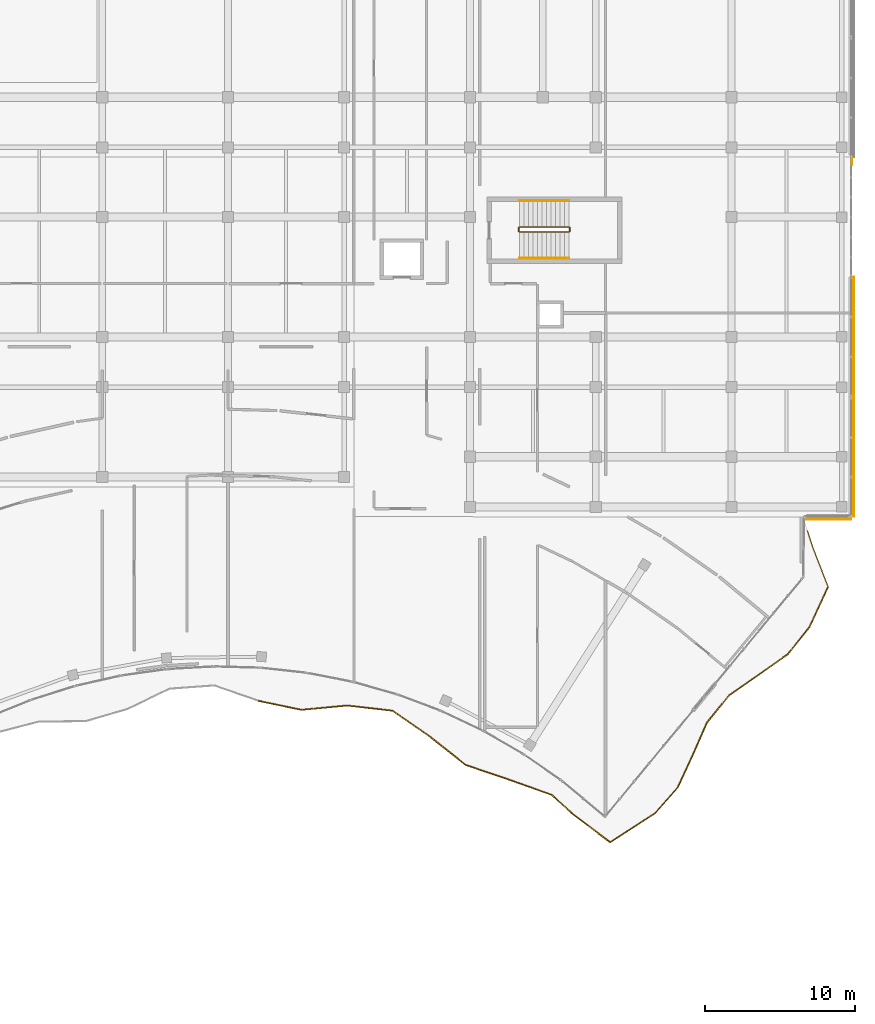
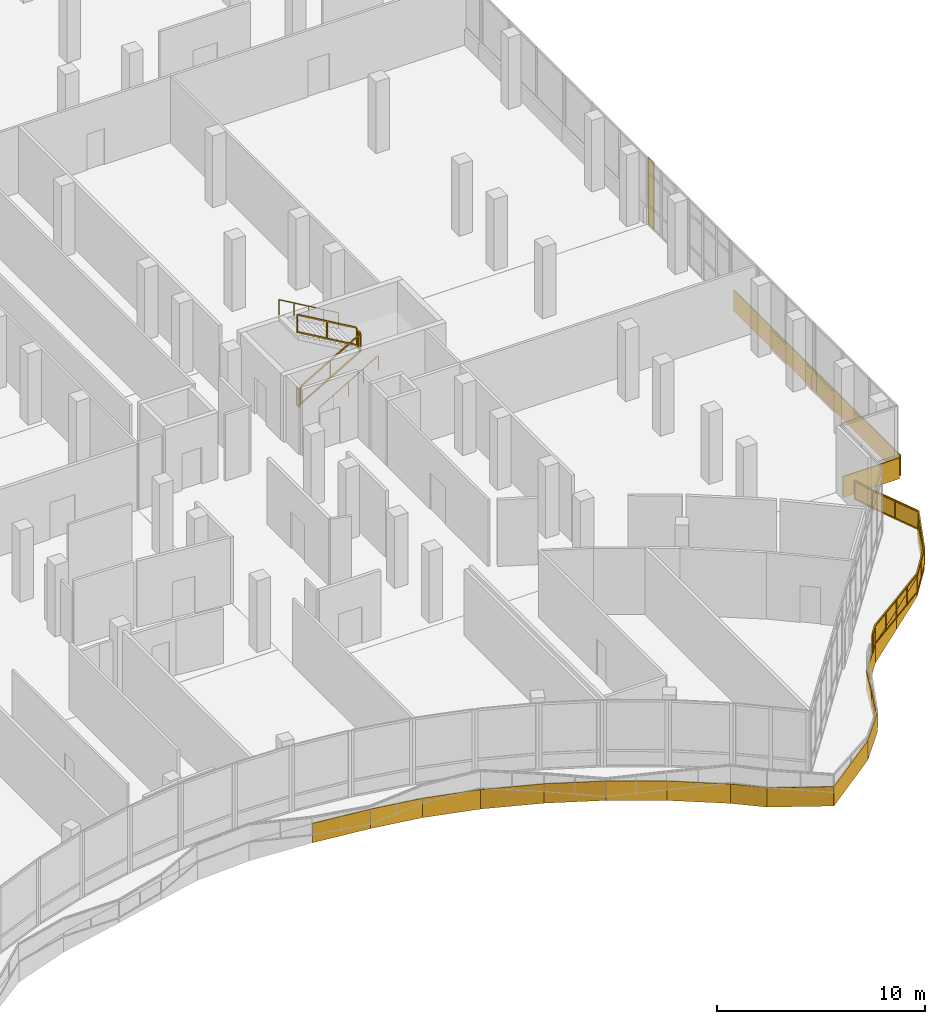
# One storey, part 183 of 184: 22 coverings, 8 railings.
"""IFC4 building model written with IfcOpenShell, lengths in metres."""

from ifc_helpers import new_model, si_unit, direction, frame, origin, origin_2d, place, context, subcontext, project, spatial, polyline, rectangle, circle, outline, extrude, material, layer, layer_set, type_object, element, save


model = new_model("IFC4")

# Units and contexts
model_context = context("Model", 3, precision=1e-05, world=origin(), true_north=direction((0.0, 1.0)))
body_context = subcontext(model_context, "Body", "Model", "MODEL_VIEW")
ifc_project = project(units=[si_unit("LENGTHUNIT", "METRE"), si_unit("AREAUNIT", "SQUARE_METRE"), si_unit("VOLUMEUNIT", "CUBIC_METRE"), si_unit("PLANEANGLEUNIT", "RADIAN"), si_unit("MASSUNIT", "GRAM", prefix="KILO")], contexts=[model_context])

# Site, building, storey
site_placement = place(None, origin())
site = spatial("IfcSite", under=ifc_project, at=site_placement, CompositionType="ELEMENT")
building_placement = place(site_placement, origin())
building = spatial("IfcBuilding", under=site, at=building_placement, Name="Selatvlak General Hospital", CompositionType="ELEMENT")
storey_placement = place(building_placement, frame((0.0, 0.0, 15.0)))
storey = spatial("IfcBuildingStorey", under=building, at=storey_placement, Name="L03", CompositionType="ELEMENT", Elevation=15.0)

# Coverings
ifc_material_1 = material(Name="PVDF aluminium fascia - cobalt blue", Category="aluminium")
ifc_layer_1 = layer(ifc_material_1, 0.070068359375, Name="PVDF aluminium fascia - cobalt blue", Category="aluminium")
ifc_layer_set_1 = layer_set([ifc_layer_1], Name="PVDF aluminium fascia - cobalt blue")
covering_type_1 = type_object("IfcCoveringType", Name="COV-RB-BLU", PredefinedType="CLADDING", material=ifc_layer_set_1)
covering_1_placement = place(storey_placement, frame((142.429931640625, 51.70703125, -0.419921875), z_axis=(0.0, 0.0, 1.0), x_axis=(0.978752548044, -0.205044994323, 0.0)))
element("IfcCovering", 1, at=covering_1_placement, inside=storey, type_object=covering_type_1, Name="L03 De Stijl waving fascia streamer 363", PredefinedType="CLADDING", context=body_context, shape_type="SweptSolid", body=[
    extrude(outline(polyline([(0.0, 0.0), (2.931396484375, 0.19482421875), (2.931396484375, 1.334716796875), (0.0, 1.139892578125), (0.0, 0.0)])), frame((0.0, 0.03515625, 0.0), z_axis=(0.0, -1.0, 0.0), x_axis=(1.0, 0.0, 0.0)), (0.0, 0.0, 1.0), 0.070068359375),
])
covering_2_placement = place(storey_placement, frame((145.300048828125, 51.10595703125, -0.22509765625), z_axis=(0.0, 0.0, 1.0), x_axis=(0.995550389317, 0.094230686782, 0.0)))
element("IfcCovering", 2, at=covering_2_placement, inside=storey, type_object=covering_type_1, Name="L03 De Stijl waving fascia streamer 364", PredefinedType="CLADDING", context=body_context, shape_type="SweptSolid", body=[
    extrude(outline(polyline([(0.0, 0.0), (3.067626953125, -0.60498046875), (3.067626953125, 0.534912109375), (0.0, 1.139892578125), (0.0, 0.0)])), frame((0.0, 0.03515625, 0.0), z_axis=(0.0, -1.0, 0.0), x_axis=(1.0, 0.0, 0.0)), (0.0, 0.0, 1.0), 0.070068359375),
])
covering_3_placement = place(storey_placement, frame((148.35498046875, 51.39404296875, -0.830078125), z_axis=(0.0, 0.0, 1.0), x_axis=(0.993590887527, -0.113036048338, 0.0)))
element("IfcCovering", 3, at=covering_3_placement, inside=storey, type_object=covering_type_1, Name="L03 De Stijl waving fascia streamer 365", PredefinedType="CLADDING", context=body_context, shape_type="SweptSolid", body=[
    extrude(outline(polyline([(0.0, 0.0), (3.03466796875, -0.342041015625), (3.03466796875, 0.7978515625), (0.0, 1.139892578125), (0.0, 0.0)])), frame((0.0, 0.03515625, 0.0), z_axis=(0.0, -1.0, 0.0), x_axis=(1.0, 0.0, 0.0)), (0.0, 0.0, 1.0), 0.070068359375),
])
covering_4_placement = place(storey_placement, frame((151.37109375, 51.051025390625, -1.172119140625), z_axis=(0.0, 0.0, 1.0), x_axis=(0.822086552014, -0.569362539159, 0.0)))
element("IfcCovering", 4, at=covering_4_placement, inside=storey, type_object=covering_type_1, Name="L03 De Stijl waving fascia streamer 366", PredefinedType="CLADDING", context=body_context, shape_type="SweptSolid", body=[
    extrude(outline(polyline([(0.0, 0.0), (3.078857421875, 0.521240234375), (3.078857421875, 1.6611328125), (0.0, 1.139892578125), (0.0, 0.0)])), frame((0.0, 0.03515625, 0.0), z_axis=(0.0, -1.0, 0.0), x_axis=(1.0, 0.0, 0.0)), (0.0, 0.0, 1.0), 0.070068359375),
])
covering_5_placement = place(storey_placement, frame((153.903076171875, 49.298095703125, -0.65087890625), z_axis=(0.0, 0.0, 1.0), x_axis=(0.784194044613, -0.620515672964, 0.0)))
element("IfcCovering", 5, at=covering_5_placement, inside=storey, type_object=covering_type_1, Name="L03 De Stijl waving fascia streamer 367", PredefinedType="CLADDING", context=body_context, shape_type="SweptSolid", body=[
    extrude(outline(polyline([(0.0, 0.0), (3.005615234375, 0.469970703125), (3.005615234375, 1.60986328125), (0.0, 1.139892578125), (0.0, 0.0)])), frame((0.0, 0.03515625, 0.0), z_axis=(0.0, -1.0, 0.0), x_axis=(1.0, 0.0, 0.0)), (0.0, 0.0, 1.0), 0.070068359375),
])
covering_6_placement = place(storey_placement, frame((156.261962890625, 47.431884765625, -0.180908203125), z_axis=(0.0, 0.0, 1.0), x_axis=(0.946658408204, -0.322238821646, 0.0)))
element("IfcCovering", 6, at=covering_6_placement, inside=storey, type_object=covering_type_1, Name="L03 De Stijl waving fascia streamer 368", PredefinedType="CLADDING", context=body_context, shape_type="SweptSolid", body=[
    extrude(outline(polyline([(0.0, 0.0), (2.982177734375, -0.406982421875), (2.982177734375, 0.73291015625), (0.0, 1.139892578125), (0.0, 0.0)])), frame((0.0, 0.03515625, 0.0), z_axis=(0.0, -1.0, 0.0), x_axis=(1.0, 0.0, 0.0)), (0.0, 0.0, 1.0), 0.070068359375),
])
covering_7_placement = place(storey_placement, frame((159.0859375, 46.469970703125, -0.587890625), z_axis=(0.0, 0.0, 1.0), x_axis=(0.942305223327, -0.334754934379, 0.0)))
element("IfcCovering", 7, at=covering_7_placement, inside=storey, type_object=covering_type_1, Name="L03 De Stijl waving fascia streamer 369", PredefinedType="CLADDING", context=body_context, shape_type="SweptSolid", body=[
    extrude(outline(polyline([(0.0, 0.0), (3.10107421875, -0.568115234375), (3.10107421875, 0.57177734375), (0.0, 1.139892578125), (0.0, 0.0)])), frame((0.0, 0.03515625, 0.0), z_axis=(0.0, -1.0, 0.0), x_axis=(1.0, 0.0, 0.0)), (0.0, 0.0, 1.0), 0.070068359375),
])
covering_8_placement = place(storey_placement, frame((162.008056640625, 45.431884765625, -1.156005859375), z_axis=(0.0, 0.0, 1.0), x_axis=(0.739597239135, -0.673049718716, 0.0)))
element("IfcCovering", 8, at=covering_8_placement, inside=storey, type_object=covering_type_1, Name="L03 De Stijl waving fascia streamer 370", PredefinedType="CLADDING", context=body_context, shape_type="SweptSolid", body=[
    extrude(outline(polyline([(0.0, 0.0), (1.804931640625, 0.052001953125), (1.804931640625, 1.19189453125), (0.0, 1.139892578125), (0.0, 0.0)])), frame((0.0, 0.03515625, 0.0), z_axis=(0.0, -1.0, 0.0), x_axis=(1.0, 0.0, 0.0)), (0.0, 0.0, 1.0), 0.070068359375),
])
covering_9_placement = place(storey_placement, frame((163.3369140625, 44.218017578125, -1.10400390625), z_axis=(0.0, 0.0, 1.0), x_axis=(0.795709155129, -0.6056789087, 0.0)))
element("IfcCovering", 9, at=covering_9_placement, inside=storey, type_object=covering_type_1, Name="L03 De Stijl waving fascia streamer 371", PredefinedType="CLADDING", context=body_context, shape_type="SweptSolid", body=[
    extrude(outline(polyline([(0.0, 0.0), (3.231201171875, 0.35302734375), (3.231201171875, 1.492919921875), (0.0, 1.139892578125), (0.0, 0.0)])), frame((0.0, 0.03515625, 0.0), z_axis=(0.0, -1.0, 0.0), x_axis=(1.0, 0.0, 0.0)), (0.0, 0.0, 1.0), 0.070068359375),
])
covering_10_placement = place(storey_placement, frame((165.89794921875, 42.260009765625, -0.7509765625), z_axis=(0.0, 0.0, 1.0), x_axis=(0.839317010686, 0.543642304804, 0.0)))
element("IfcCovering", 10, at=covering_10_placement, inside=storey, type_object=covering_type_1, Name="L03 De Stijl waving fascia streamer 372", PredefinedType="CLADDING", context=body_context, shape_type="SweptSolid", body=[
    extrude(outline(polyline([(0.0, 0.0), (3.572021484375, 0.471923828125), (3.572021484375, 1.61181640625), (0.0, 1.139892578125), (0.0, 0.0)])), frame((0.0, 0.03515625, 0.0), z_axis=(0.0, -1.0, 0.0), x_axis=(1.0, 0.0, 0.0)), (0.0, 0.0, 1.0), 0.070068359375),
])
covering_11_placement = place(storey_placement, frame((168.89111328125, 44.199951171875, -0.279052734375), z_axis=(0.0, 0.0, 1.0), x_axis=(0.66261497791, 0.748960206586, 0.0)))
element("IfcCovering", 11, at=covering_11_placement, inside=storey, type_object=covering_type_1, Name="L03 De Stijl waving fascia streamer 373", PredefinedType="CLADDING", context=body_context, shape_type="SweptSolid", body=[
    extrude(outline(polyline([(0.0, 0.0), (2.30712890625, 0.052978515625), (2.30712890625, 1.19287109375), (0.0, 1.139892578125), (0.0, 0.0)])), frame((0.0, 0.03515625, 0.0), z_axis=(0.0, -1.0, 0.0), x_axis=(1.0, 0.0, 0.0)), (0.0, 0.0, 1.0), 0.070068359375),
])
covering_12_placement = place(storey_placement, frame((170.419921875, 45.927978515625, -0.22607421875), z_axis=(0.0, 0.0, 1.0), x_axis=(0.420569929361, 0.907260125056, 0.0)))
element("IfcCovering", 12, at=covering_12_placement, inside=storey, type_object=covering_type_1, Name="L03 De Stijl waving fascia streamer 374", PredefinedType="CLADDING", context=body_context, shape_type="SweptSolid", body=[
    extrude(outline(polyline([(0.0, 0.0), (2.38525390625, -0.421875), (2.38525390625, 0.718017578125), (0.0, 1.139892578125), (0.0, 0.0)])), frame((0.0, 0.03515625, 0.0), z_axis=(0.0, -1.0, 0.0), x_axis=(1.0, 0.0, 0.0)), (0.0, 0.0, 1.0), 0.070068359375),
])
covering_13_placement = place(storey_placement, frame((171.423095703125, 48.092041015625, -0.64794921875), z_axis=(0.0, 0.0, 1.0), x_axis=(0.40292292108, 0.915233915274, 0.0)))
element("IfcCovering", 13, at=covering_13_placement, inside=storey, type_object=covering_type_1, Name="L03 De Stijl waving fascia streamer 375", PredefinedType="CLADDING", context=body_context, shape_type="SweptSolid", body=[
    extrude(outline(polyline([(0.0, 0.0), (2.39697265625, -0.455078125), (2.39697265625, 0.684814453125), (0.0, 1.139892578125), (0.0, 0.0)])), frame((0.0, 0.03515625, 0.0), z_axis=(0.0, -1.0, 0.0), x_axis=(1.0, 0.0, 0.0)), (0.0, 0.0, 1.0), 0.070068359375),
])
covering_14_placement = place(storey_placement, frame((172.388916015625, 50.285888671875, -1.10302734375), z_axis=(0.0, 0.0, 1.0), x_axis=(0.631899176648, 0.775050598704, 0.0)))
element("IfcCovering", 14, at=covering_14_placement, inside=storey, type_object=covering_type_1, Name="L03 De Stijl waving fascia streamer 376", PredefinedType="CLADDING", context=body_context, shape_type="SweptSolid", body=[
    extrude(outline(polyline([(0.0, 0.0), (2.305908203125, -0.012939453125), (2.305908203125, 1.126953125), (0.0, 1.139892578125), (0.0, 0.0)])), frame((0.0, 0.03515625, 0.0), z_axis=(0.0, -1.0, 0.0), x_axis=(1.0, 0.0, 0.0)), (0.0, 0.0, 1.0), 0.070068359375),
])
covering_15_placement = place(storey_placement, frame((173.845947265625, 52.072998046875, -1.115966796875), z_axis=(0.0, 0.0, 1.0), x_axis=(0.820270538005, 0.571975737669, 0.0)))
element("IfcCovering", 15, at=covering_15_placement, inside=storey, type_object=covering_type_1, Name="L03 De Stijl waving fascia streamer 377", PredefinedType="CLADDING", context=body_context, shape_type="SweptSolid", body=[
    extrude(outline(polyline([(0.0, 0.0), (2.393310546875, 0.44384765625), (2.393310546875, 1.583740234375), (0.0, 1.139892578125), (0.0, 0.0)])), frame((0.0, 0.03515625, 0.0), z_axis=(0.0, -1.0, 0.0), x_axis=(1.0, 0.0, 0.0)), (0.0, 0.0, 1.0), 0.070068359375),
])
covering_16_placement = place(storey_placement, frame((175.80908203125, 53.44189453125, -0.672119140625), z_axis=(0.0, 0.0, 1.0), x_axis=(0.817225438115, 0.576318126817, 0.0)))
element("IfcCovering", 16, at=covering_16_placement, inside=storey, type_object=covering_type_1, Name="L03 De Stijl waving fascia streamer 378", PredefinedType="CLADDING", context=body_context, shape_type="SweptSolid", body=[
    extrude(outline(polyline([(0.0, 0.0), (2.3896484375, 0.43505859375), (2.3896484375, 1.574951171875), (0.0, 1.139892578125), (0.0, 0.0)])), frame((0.0, 0.03515625, 0.0), z_axis=(0.0, -1.0, 0.0), x_axis=(1.0, 0.0, 0.0)), (0.0, 0.0, 1.0), 0.070068359375),
])
covering_17_placement = place(storey_placement, frame((177.761962890625, 54.819091796875, -0.237060546875), z_axis=(0.0, 0.0, 1.0), x_axis=(0.624256091841, 0.781219771767, 0.0)))
element("IfcCovering", 17, at=covering_17_placement, inside=storey, type_object=covering_type_1, Name="L03 De Stijl waving fascia streamer 379", PredefinedType="CLADDING", context=body_context, shape_type="SweptSolid", body=[
    extrude(outline(polyline([(0.0, 0.0), (2.306640625, -0.02783203125), (2.306640625, 1.112060546875), (0.0, 1.139892578125), (0.0, 0.0)])), frame((0.0, 0.03515625, 0.0), z_axis=(0.0, -1.0, 0.0), x_axis=(1.0, 0.0, 0.0)), (0.0, 0.0, 1.0), 0.070068359375),
])
covering_18_placement = place(storey_placement, frame((179.200927734375, 56.617919921875, -0.264892578125), z_axis=(0.0, 0.0, 1.0), x_axis=(0.42061122428, 0.907240981222, 0.0)))
element("IfcCovering", 18, at=covering_18_placement, inside=storey, type_object=covering_type_1, Name="L03 De Stijl waving fascia streamer 380", PredefinedType="CLADDING", context=body_context, shape_type="SweptSolid", body=[
    extrude(outline(polyline([(0.0, 0.0), (2.969482421875, -0.462158203125), (2.969482421875, 0.677734375), (0.0, 1.139892578125), (0.0, 0.0)])), frame((0.0, 0.03515625, 0.0), z_axis=(0.0, -1.0, 0.0), x_axis=(1.0, 0.0, 0.0)), (0.0, 0.0, 1.0), 0.070068359375),
])
ifc_material_2 = material(Name="White Bauhaus fair-faced cladding panel")
ifc_layer_2 = layer(ifc_material_2, 0.054931640625, Name="White Bauhaus fair-faced cladding panel")
ifc_layer_set_2 = layer_set([ifc_layer_2], Name="White Bauhaus fair-faced cladding panel")
covering_type_2 = type_object("IfcCoveringType", Name="COV-WHT1", PredefinedType="CLADDING", material=ifc_layer_set_2)
covering_19_placement = place(storey_placement, frame((182.044921875, 87.72607421875, -0.00048828125), z_axis=(0.0, 0.0, 1.0), x_axis=(0.0, -1.0, 0.0)))
element("IfcCovering", 19, at=covering_19_placement, inside=storey, type_object=covering_type_2, Name="L03 Bauhaus vertical core pilaster 0245", PredefinedType="CLADDING", context=body_context, shape_type="SweptSolid", body=[
    extrude(rectangle(XDim=0.550048828125, YDim=0.054931640625, at=origin_2d()), origin(), (0.0, 0.0, 1.0), 3.89501953125),
])
for number, where, z_axis, x_axis, name in (
    (20, (182.1650390625, 76.0009765625, -0.27978515625), (0.0, 0.0, 1.0), (0.0, -1.0, 0.0), "L03 Bauhaus horizontal white spandrel band 0246"),
    (21, (182.1650390625, 68.0009765625, -0.27978515625), (0.0, 0.0, 1.0), (0.0, -1.0, 0.0), "L03 Bauhaus horizontal white spandrel band 0247"),
):
    element("IfcCovering", number, at=place(storey_placement, frame(where, z_axis=z_axis, x_axis=x_axis)), inside=storey, type_object=covering_type_2, Name=name, PredefinedType="CLADDING", context=body_context, shape_type="SweptSolid", body=[
        extrude(rectangle(XDim=8.0, YDim=0.054931640625, at=origin_2d()), origin(), (0.0, 0.0, 1.0), 1.219970703125),
    ])
covering_20_placement = place(storey_placement, frame((180.429931640625, 63.8359375, -0.27978515625), z_axis=(0.0, 0.0, 1.0), x_axis=(-0.999999950652, -0.00031415926, 0.0)))
element("IfcCovering", 22, at=covering_20_placement, inside=storey, type_object=covering_type_2, Name="L03 Bauhaus horizontal white spandrel band 0248", PredefinedType="CLADDING", context=body_context, shape_type="SweptSolid", body=[
    extrude(rectangle(XDim=3.139892578125, YDim=0.054931640625, at=origin_2d()), origin(), (0.0, 0.0, 1.0), 1.219970703125),
])

# Railings
ifc_material_3 = material(Name="Stainless steel 316 safety balustrade", Category="steel")
railing_type_1 = type_object("IfcRailingType", Name="RAIL-BAL1", PredefinedType="BALUSTRADE", material=ifc_material_3)
railing_1_placement = place(storey_placement, frame((177.77392578125, 54.80908203125, 0.0)))
element("IfcRailing", 23, at=railing_1_placement, inside=storey, type_object=railing_type_1, Name="L03 continuous curved balcony balustrade 0020", PredefinedType="BALUSTRADE", context=body_context, shape_type="SweptSolid", body=[
    extrude(rectangle(XDim=0.068115234375, YDim=0.068115234375, at=origin_2d()), frame((-0.00244140625, -0.001708984375, 1.0859375), z_axis=(-0.817225438115, -0.576318126817, 0.0), x_axis=(0.576318126817, -0.817225438115, 0.0)), (0.0, 0.0, 1.0), 2.3837890625),
    extrude(rectangle(XDim=0.068115234375, YDim=0.068115234375, at=origin_2d()), frame((-0.00244140625, -0.001708984375, 0.049072265625), z_axis=(-0.817225438115, -0.576318126817, 0.0), x_axis=(0.576318126817, -0.817225438115, 0.0)), (0.0, 0.0, 1.0), 2.3837890625),
    extrude(outline(polyline([(0.0, 0.0), (2.377685546875, 0.0), (2.377685546875, 0.94189453125), (0.0, 0.94189453125), (0.0, 0.0)])), frame((0.00537109375, -0.01806640625, 0.0849609375), z_axis=(-0.576318126817, 0.817225438115, 0.0), x_axis=(-0.817225438115, -0.576318126817, 0.0)), (0.0, 0.0, 1.0), 0.031982421875),
    extrude(rectangle(XDim=0.068115234375, YDim=0.068115234375, at=origin_2d()), frame((-1.955322265625, -1.37890625, 1.0859375), z_axis=(-0.820270538005, -0.571975737669, 0.0), x_axis=(0.571975737669, -0.820270538005, 0.0)), (0.0, 0.0, 1.0), 2.387451171875),
    extrude(rectangle(XDim=0.068115234375, YDim=0.068115234375, at=origin_2d()), frame((-1.955322265625, -1.37890625, 0.049072265625), z_axis=(-0.820270538005, -0.571975737669, 0.0), x_axis=(0.571975737669, -0.820270538005, 0.0)), (0.0, 0.0, 1.0), 2.387451171875),
    extrude(outline(polyline([(0.0, 0.0), (2.38134765625, 0.0), (2.38134765625, 0.94189453125), (0.0, 0.94189453125), (0.0, 0.0)])), frame((-1.947509765625, -1.3955078125, 0.0849609375), z_axis=(-0.571975737669, 0.820270538005, 0.0), x_axis=(-0.820270538005, -0.571975737669, 0.0)), (0.0, 0.0, 1.0), 0.031982421875),
    extrude(rectangle(XDim=0.068115234375, YDim=0.068115234375, at=origin_2d()), frame((-3.91796875, -2.748291015625, 1.0859375), z_axis=(-0.631672951162, -0.775234985517, 0.0), x_axis=(0.775234985517, -0.631672951162, 0.0)), (0.0, 0.0, 1.0), 0.725341796875),
    extrude(rectangle(XDim=0.068115234375, YDim=0.068115234375, at=origin_2d()), frame((-3.91796875, -2.748291015625, 0.049072265625), z_axis=(-0.631672951162, -0.775234985517, 0.0), x_axis=(0.775234985517, -0.631672951162, 0.0)), (0.0, 0.0, 1.0), 0.725341796875),
    extrude(outline(polyline([(0.0, 0.0), (0.71923828125, 0.0), (0.71923828125, 0.94189453125), (0.0, 0.94189453125), (0.0, 0.0)])), frame((-3.90576171875, -2.76220703125, 0.0849609375), z_axis=(-0.775234985517, 0.631672951162, 0.0), x_axis=(-0.631672951162, -0.775234985517, 0.0)), (0.0, 0.0, 1.0), 0.031982421875),
    extrude(rectangle(XDim=0.055908203125, YDim=0.055908203125, at=origin_2d()), origin(), (0.0, 0.0, 1.0), 1.049072265625),
    extrude(rectangle(XDim=0.055908203125, YDim=0.055908203125, at=origin_2d()), frame((-0.9765625, -0.6884765625, 0.0)), (0.0, 0.0, 1.0), 1.049072265625),
    extrude(rectangle(XDim=0.055908203125, YDim=0.055908203125, at=origin_2d()), frame((-1.952880859375, -1.377197265625, 0.0)), (0.0, 0.0, 1.0), 1.049072265625),
    extrude(rectangle(XDim=0.055908203125, YDim=0.055908203125, at=origin_2d()), frame((-2.9345703125, -2.0615234375, 0.0)), (0.0, 0.0, 1.0), 1.049072265625),
    extrude(rectangle(XDim=0.055908203125, YDim=0.055908203125, at=origin_2d()), frame((-3.916015625, -2.74609375, 0.0)), (0.0, 0.0, 1.0), 1.049072265625),
    extrude(rectangle(XDim=0.055908203125, YDim=0.055908203125, at=origin_2d()), frame((-4.3779296875, -3.31298828125, 0.0)), (0.0, 0.0, 1.0), 1.049072265625),
])
railing_2_placement = place(storey_placement, frame((179.080078125, 63.06005859375, 0.0)))
element("IfcRailing", 24, at=railing_2_placement, inside=storey, type_object=railing_type_1, Name="L03 continuous curved balcony balustrade 0022", PredefinedType="BALUSTRADE", context=body_context, shape_type="SweptSolid", body=[
    extrude(rectangle(XDim=0.068115234375, YDim=0.068115234375, at=origin_2d()), frame((0.0009765625, -0.002685546875, 1.0859375), z_axis=(0.304317227772, -0.952570745342, 0.0), x_axis=(0.952570745342, 0.304317227772, 0.0)), (0.0, 0.0, 1.0), 1.134033203125),
    extrude(rectangle(XDim=0.068115234375, YDim=0.068115234375, at=origin_2d()), frame((0.0009765625, -0.002685546875, 0.049072265625), z_axis=(0.304317227772, -0.952570745342, 0.0), x_axis=(0.952570745342, 0.304317227772, 0.0)), (0.0, 0.0, 1.0), 1.134033203125),
    extrude(outline(polyline([(0.0, 0.0), (1.1279296875, 0.0), (1.1279296875, 0.94189453125), (0.0, 0.94189453125), (0.0, 0.0)])), frame((0.01904296875, -0.000244140625, 0.0849609375), z_axis=(-0.952570745342, -0.304317227772, 0.0), x_axis=(0.304317227772, -0.952570745342, 0.0)), (0.0, 0.0, 1.0), 0.031982421875),
    extrude(rectangle(XDim=0.068115234375, YDim=0.068115234375, at=origin_2d()), frame((0.347900390625, -1.088623046875, 1.0859375), z_axis=(0.36180013466, -0.932255685185, 0.0), x_axis=(0.932255685185, 0.36180013466, 0.0)), (0.0, 0.0, 1.0), 2.857177734375),
    extrude(rectangle(XDim=0.068115234375, YDim=0.068115234375, at=origin_2d()), frame((0.347900390625, -1.088623046875, 0.049072265625), z_axis=(0.36180013466, -0.932255685185, 0.0), x_axis=(0.932255685185, 0.36180013466, 0.0)), (0.0, 0.0, 1.0), 2.857177734375),
    extrude(outline(polyline([(0.0, 0.0), (2.85107421875, 0.0), (2.85107421875, 0.94189453125), (0.0, 0.94189453125), (0.0, 0.0)])), frame((0.365966796875, -1.0849609375, 0.0849609375), z_axis=(-0.932255685185, -0.36180013466, 0.0), x_axis=(0.36180013466, -0.932255685185, 0.0)), (0.0, 0.0, 1.0), 0.031982421875),
    extrude(rectangle(XDim=0.068115234375, YDim=0.068115234375, at=origin_2d()), frame((1.381591796875, -3.7578125, 1.0859375), z_axis=(-0.420574922904, -0.90725781023, 0.0), x_axis=(0.90725781023, -0.420574922904, 0.0)), (0.0, 0.0, 1.0), 2.96337890625),
    extrude(rectangle(XDim=0.068115234375, YDim=0.068115234375, at=origin_2d()), frame((1.381591796875, -3.7578125, 0.049072265625), z_axis=(-0.420574922904, -0.90725781023, 0.0), x_axis=(0.90725781023, -0.420574922904, 0.0)), (0.0, 0.0, 1.0), 2.96337890625),
    extrude(outline(polyline([(0.0, 0.0), (2.957275390625, 0.0), (2.957275390625, 0.94189453125), (0.0, 0.94189453125), (0.0, 0.0)])), frame((1.396728515625, -3.76806640625, 0.0849609375), z_axis=(-0.90725781023, 0.420574922904, 0.0), x_axis=(-0.420574922904, -0.90725781023, 0.0)), (0.0, 0.0, 1.0), 0.031982421875),
    extrude(rectangle(XDim=0.068115234375, YDim=0.068115234375, at=origin_2d()), frame((0.13232421875, -6.451171875, 1.0859375), z_axis=(-0.624320681268, -0.781168155355, 0.0), x_axis=(0.781168155355, -0.624320681268, 0.0)), (0.0, 0.0, 1.0), 2.301025390625),
    extrude(rectangle(XDim=0.068115234375, YDim=0.068115234375, at=origin_2d()), frame((0.13232421875, -6.451171875, 0.049072265625), z_axis=(-0.624320681268, -0.781168155355, 0.0), x_axis=(0.781168155355, -0.624320681268, 0.0)), (0.0, 0.0, 1.0), 2.301025390625),
    extrude(outline(polyline([(0.0, 0.0), (2.294921875, 0.0), (2.294921875, 0.94189453125), (0.0, 0.94189453125), (0.0, 0.0)])), frame((0.144287109375, -6.46484375, 0.0849609375), z_axis=(-0.781168155355, 0.624320681268, 0.0), x_axis=(-0.624320681268, -0.781168155355, 0.0)), (0.0, 0.0, 1.0), 0.031982421875),
    extrude(rectangle(XDim=0.055908203125, YDim=0.055908203125, at=origin_2d()), origin(), (0.0, 0.0, 1.0), 1.049072265625),
    extrude(rectangle(XDim=0.055908203125, YDim=0.055908203125, at=origin_2d()), frame((0.346923828125, -1.0859375, 0.0)), (0.0, 0.0, 1.0), 1.049072265625),
    extrude(rectangle(XDim=0.055908203125, YDim=0.055908203125, at=origin_2d()), frame((0.86474609375, -2.42041015625, 0.0)), (0.0, 0.0, 1.0), 1.049072265625),
    extrude(rectangle(XDim=0.055908203125, YDim=0.055908203125, at=origin_2d()), frame((1.3828125, -3.755126953125, 0.0)), (0.0, 0.0, 1.0), 1.049072265625),
    extrude(rectangle(XDim=0.055908203125, YDim=0.055908203125, at=origin_2d()), frame((0.75830078125, -5.10205078125, 0.0)), (0.0, 0.0, 1.0), 1.049072265625),
    extrude(rectangle(XDim=0.055908203125, YDim=0.055908203125, at=origin_2d()), frame((0.134033203125, -6.448974609375, 0.0)), (0.0, 0.0, 1.0), 1.049072265625),
    extrude(rectangle(XDim=0.055908203125, YDim=0.055908203125, at=origin_2d()), frame((-0.5859375, -7.35009765625, 0.0)), (0.0, 0.0, 1.0), 1.049072265625),
    extrude(rectangle(XDim=0.055908203125, YDim=0.055908203125, at=origin_2d()), frame((-1.30615234375, -8.2509765625, 0.0)), (0.0, 0.0, 1.0), 1.049072265625),
])
ifc_material_4 = material(Name="Stainless steel 316 stair guard", Category="steel")
railing_type_2 = type_object("IfcRailingType", Name="RAIL-STG", PredefinedType="GUARDRAIL", material=ifc_material_4)
railing_3_placement = place(storey_placement, frame((159.860107421875, 83.010009765625, 0.175048828125)))
element("IfcRailing", 25, at=railing_3_placement, inside=storey, type_object=railing_type_2, Name="L03 ST-06 stair guard 1", PredefinedType="GUARDRAIL", context=body_context, shape_type="SweptSolid", body=[
    extrude(rectangle(XDim=0.068115234375, YDim=0.068115234375, at=origin_2d()), frame((0.00244140625, 0.0, 1.067626953125), z_axis=(0.863760357493, 0.0, 0.503902812876), x_axis=(0.0, 1.0, 0.0)), (0.0, 0.0, 1.0), 3.814453125),
    extrude(rectangle(XDim=0.068115234375, YDim=0.068115234375, at=origin_2d()), frame((0.00244140625, 0.0, 0.050537109375), z_axis=(0.863760357493, 0.0, 0.503902812876), x_axis=(0.0, 1.0, 0.0)), (0.0, 0.0, 1.0), 3.814453125),
    extrude(rectangle(XDim=0.055908203125, YDim=0.055908203125, at=origin_2d()), origin(), (0.0, 0.0, 1.0), 1.029052734375),
    extrude(rectangle(XDim=0.055908203125, YDim=0.055908203125, at=origin_2d()), frame((1.64990234375, 0.0, 0.96240234375)), (0.0, 0.0, 1.0), 1.029052734375),
    extrude(rectangle(XDim=0.055908203125, YDim=0.055908203125, at=origin_2d()), frame((3.2998046875, 0.0, 1.925048828125)), (0.0, 0.0, 1.0), 1.029052734375),
])
railing_4_placement = place(storey_placement, frame((163.2099609375, 83.06005859375, 2.10009765625)))
element("IfcRailing", 26, at=railing_4_placement, inside=storey, type_object=railing_type_2, Name="L03 ST-06 stair guard 2", PredefinedType="GUARDRAIL", context=body_context, shape_type="SweptSolid", body=[
    extrude(rectangle(XDim=0.068115234375, YDim=0.068115234375, at=origin_2d()), frame((0.0, 0.0029296875, 1.06591796875), z_axis=(0.0, 1.0, 0.0), x_axis=(-1.0, 0.0, 0.0)), (0.0, 0.0, 1.0), 0.214111328125),
    extrude(rectangle(XDim=0.068115234375, YDim=0.068115234375, at=origin_2d()), frame((0.0, 0.0029296875, 0.049072265625), z_axis=(0.0, 1.0, 0.0), x_axis=(-1.0, 0.0, 0.0)), (0.0, 0.0, 1.0), 0.214111328125),
    extrude(rectangle(XDim=0.055908203125, YDim=0.055908203125, at=origin_2d()), origin(), (0.0, 0.0, 1.0), 1.029052734375),
    extrude(rectangle(XDim=0.055908203125, YDim=0.055908203125, at=origin_2d()), frame((0.0, 0.219970703125, 0.0)), (0.0, 0.0, 1.0), 1.029052734375),
])
railing_5_placement = place(storey_placement, frame((163.159912109375, 83.330078125, 2.27490234375)))
element("IfcRailing", 27, at=railing_5_placement, inside=storey, type_object=railing_type_2, Name="L03 ST-06 stair guard 3", PredefinedType="GUARDRAIL", context=body_context, shape_type="SweptSolid", body=[
    extrude(rectangle(XDim=0.068115234375, YDim=0.068115234375, at=origin_2d()), frame((-0.00244140625, 0.0, 1.067626953125), z_axis=(-0.863760357493, 0.0, 0.503902812876), x_axis=(0.0, -1.0, 0.0)), (0.0, 0.0, 1.0), 3.814453125),
    extrude(rectangle(XDim=0.068115234375, YDim=0.068115234375, at=origin_2d()), frame((-0.00244140625, 0.0, 0.050537109375), z_axis=(-0.863760357493, 0.0, 0.503902812876), x_axis=(0.0, -1.0, 0.0)), (0.0, 0.0, 1.0), 3.814453125),
    extrude(rectangle(XDim=0.055908203125, YDim=0.055908203125, at=origin_2d()), origin(), (0.0, 0.0, 1.0), 1.029052734375),
    extrude(rectangle(XDim=0.055908203125, YDim=0.055908203125, at=origin_2d()), frame((-1.64990234375, 0.0, 0.96240234375)), (0.0, 0.0, 1.0), 1.029052734375),
    extrude(rectangle(XDim=0.055908203125, YDim=0.055908203125, at=origin_2d()), frame((-3.2998046875, 0.0, 1.925048828125)), (0.0, 0.0, 1.0), 1.029052734375),
])
railing_6_placement = place(storey_placement, frame((159.81005859375, 83.06005859375, 0.0)))
element("IfcRailing", 28, at=railing_6_placement, inside=storey, type_object=railing_type_2, Name="L03 ST-06 stair guard 4", PredefinedType="GUARDRAIL", context=body_context, shape_type="SweptSolid", body=[
    extrude(rectangle(XDim=0.068115234375, YDim=0.068115234375, at=origin_2d()), frame((0.0, 0.0029296875, 1.06591796875), z_axis=(0.0, 1.0, 0.0), x_axis=(-1.0, 0.0, 0.0)), (0.0, 0.0, 1.0), 0.214111328125),
    extrude(rectangle(XDim=0.068115234375, YDim=0.068115234375, at=origin_2d()), frame((0.0, 0.0029296875, 0.049072265625), z_axis=(0.0, 1.0, 0.0), x_axis=(-1.0, 0.0, 0.0)), (0.0, 0.0, 1.0), 0.214111328125),
    extrude(rectangle(XDim=0.055908203125, YDim=0.055908203125, at=origin_2d()), origin(), (0.0, 0.0, 1.0), 1.029052734375),
    extrude(rectangle(XDim=0.055908203125, YDim=0.055908203125, at=origin_2d()), frame((0.0, 0.219970703125, 0.0)), (0.0, 0.0, 1.0), 1.029052734375),
])
ifc_material_5 = material(Name="Stainless steel 316 handrail", Category="steel")
railing_type_3 = type_object("IfcRailingType", Name="RAIL-STH", PredefinedType="HANDRAIL", material=ifc_material_5)
railing_7_placement = place(storey_placement, frame((159.860107421875, 81.25, 0.175048828125)))
element("IfcRailing", 29, at=railing_7_placement, inside=storey, type_object=railing_type_3, Name="L03 ST-06 stair handrail 1", PredefinedType="HANDRAIL", context=body_context, shape_type="SweptSolid", body=[
    extrude(circle(Radius=0.02392578125, at=origin_2d()), frame((0.00244140625, 0.0, 0.87744140625), z_axis=(0.863760357493, 0.0, 0.503902812876), x_axis=(0.0, 1.0, 0.0)), (0.0, 0.0, 1.0), 3.814453125),
    extrude(circle(Radius=0.02099609375, at=origin_2d()), origin(), (0.0, 0.0, 1.0), 0.848876953125),
    extrude(circle(Radius=0.02099609375, at=origin_2d()), frame((0.824951171875, 0.0, 0.481201171875)), (0.0, 0.0, 1.0), 0.848876953125),
    extrude(circle(Radius=0.02099609375, at=origin_2d()), frame((1.64990234375, 0.0, 0.96240234375)), (0.0, 0.0, 1.0), 0.848876953125),
    extrude(circle(Radius=0.02099609375, at=origin_2d()), frame((2.474853515625, 0.0, 1.44384765625)), (0.0, 0.0, 1.0), 0.848876953125),
    extrude(circle(Radius=0.02099609375, at=origin_2d()), frame((3.2998046875, 0.0, 1.925048828125)), (0.0, 0.0, 1.0), 0.848876953125),
])
railing_8_placement = place(storey_placement, frame((163.159912109375, 85.090087890625, 2.27490234375)))
element("IfcRailing", 30, at=railing_8_placement, inside=storey, type_object=railing_type_3, Name="L03 ST-06 stair handrail 2", PredefinedType="HANDRAIL", context=body_context, shape_type="SweptSolid", body=[
    extrude(circle(Radius=0.02392578125, at=origin_2d()), frame((-0.00244140625, 0.0, 0.87744140625), z_axis=(-0.863760357493, 0.0, 0.503902812876), x_axis=(0.0, -1.0, 0.0)), (0.0, 0.0, 1.0), 3.814453125),
    extrude(circle(Radius=0.02099609375, at=origin_2d()), origin(), (0.0, 0.0, 1.0), 0.848876953125),
    extrude(circle(Radius=0.02099609375, at=origin_2d()), frame((-0.824951171875, 0.0, 0.481201171875)), (0.0, 0.0, 1.0), 0.848876953125),
    extrude(circle(Radius=0.02099609375, at=origin_2d()), frame((-1.64990234375, 0.0, 0.96240234375)), (0.0, 0.0, 1.0), 0.848876953125),
    extrude(circle(Radius=0.02099609375, at=origin_2d()), frame((-2.474853515625, 0.0, 1.44384765625)), (0.0, 0.0, 1.0), 0.848876953125),
    extrude(circle(Radius=0.02099609375, at=origin_2d()), frame((-3.2998046875, 0.0, 1.925048828125)), (0.0, 0.0, 1.0), 0.848876953125),
])

save(model, "model.ifc")
